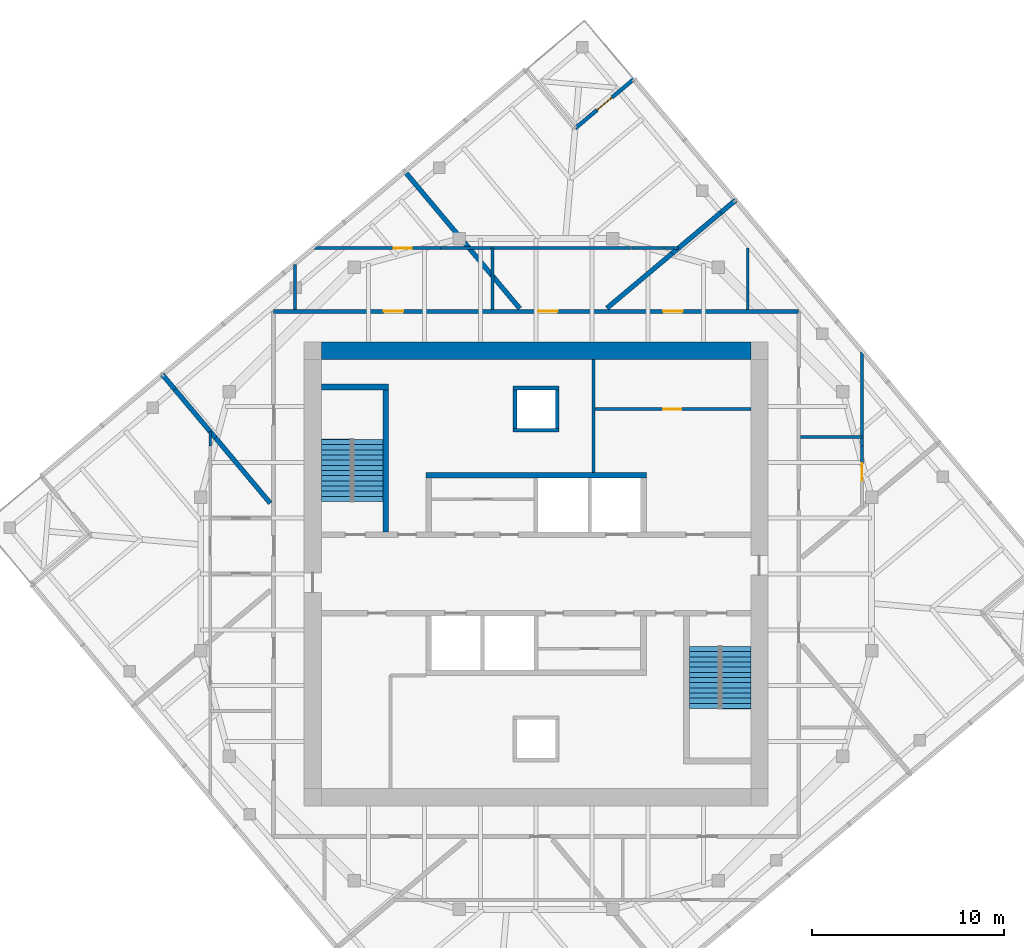
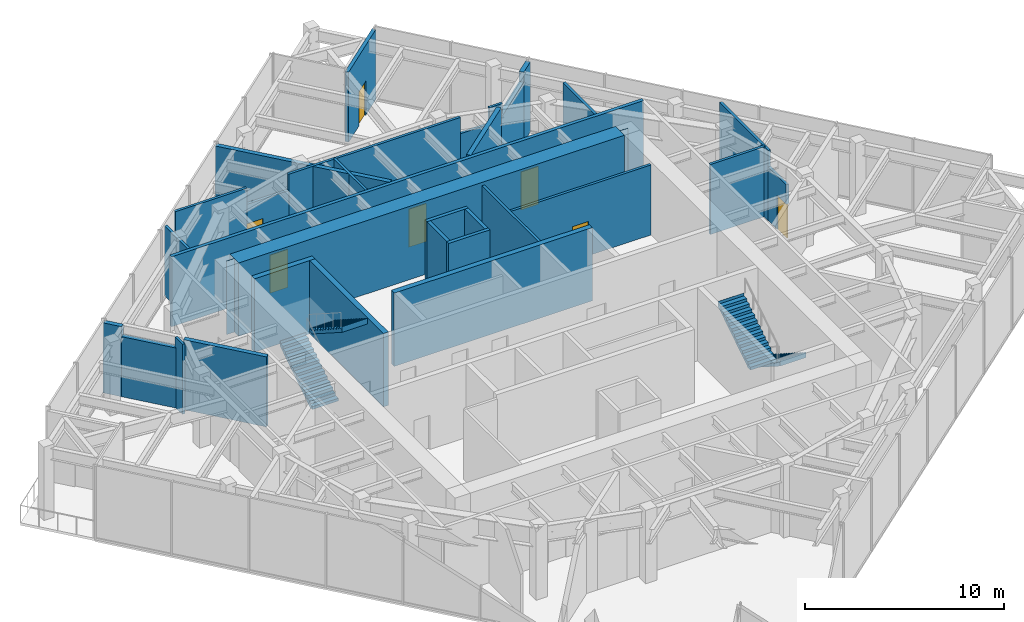
# One storey, part 10 of 11: 31 walls, 7 doors, 4 stair flights, 7 openings, 2 elements without a shape of their own.
"""IFC4 building model written with IfcOpenShell, lengths in metres."""

import ifcopenshell
import ifcopenshell.guid

model = None  # the IFC model being written
_history = None  # IfcOwnerHistory: only IFC2X3 demands one
_inside = {}  # id of a spatial element -> (the spatial element, [elements in it])
_under = {}  # id of a project, library or spatial element -> (it, [spatial elements below it])
_declared = {}  # id of a project -> (the project, [libraries it declares])
_typed = {}  # id of a type object -> (the type object, [elements of that type])
_made_of = {}  # id of a material, layer set ... -> (it, [elements and type objects made of it])


def new_model(schema):
    """Start an empty IFC model of exactly this schema.

    Asked for "IFC4X3", IfcOpenShell would pick the latest addendum, in which some entities
    have other attributes; the version numbers below select the first issue.
    IFC2X3 requires an IfcOwnerHistory on every rooted entity: one is made here for all.
    """
    global model, _history
    if schema == "IFC4X3":
        model = ifcopenshell.file(schema_version=(4, 3, 0, 0))
    else:
        model = ifcopenshell.file(schema=schema)
    _inside.clear()
    _under.clear()
    _declared.clear()
    _typed.clear()
    _made_of.clear()
    _history = None
    if model.schema == "IFC2X3":
        org = make("IfcOrganization", Name="unknown")
        user = make(
            "IfcPersonAndOrganization",
            ThePerson=make("IfcPerson", FamilyName="unknown"),
            TheOrganization=org,
        )
        app = make(
            "IfcApplication",
            ApplicationDeveloper=org,
            Version="unknown",
            ApplicationFullName="unknown",
            ApplicationIdentifier="unknown",
        )
        _history = make(
            "IfcOwnerHistory",
            OwningUser=user,
            OwningApplication=app,
            ChangeAction="ADDED",
            CreationDate=0,
        )
    return model


def make(cls, **values):
    """One entity of the class cls with the attributes given. An attribute that is None is left unset."""
    return model.create_entity(
        cls, **{name: value for name, value in values.items() if value is not None}
    )


def rooted(cls, **values):
    """An entity with a GlobalId (a new one), such as an element, a storey or a relation."""
    return make(cls, GlobalId=ifcopenshell.guid.new(), OwnerHistory=_history, **values)


def si_unit(unit_type, name, prefix=None):
    """IfcSIUnit, for example si_unit("LENGTHUNIT", "METRE", prefix="MILLI")."""
    return make("IfcSIUnit", UnitType=unit_type, Prefix=prefix, Name=name)


def assignment(units):
    """IfcUnitAssignment: the units of a project."""
    return None if units is None else make("IfcUnitAssignment", Units=units)


def point(xyz):
    """IfcCartesianPoint."""
    return None if xyz is None else make("IfcCartesianPoint", Coordinates=xyz)


def direction(xyz):
    """IfcDirection."""
    return None if xyz is None else make("IfcDirection", DirectionRatios=xyz)


def frame(location, z_axis=None, x_axis=None):
    """IfcAxis2Placement3D, a coordinate frame: its origin and axes. An axis left out is left unset."""
    return make(
        "IfcAxis2Placement3D",
        Location=point(location),
        Axis=direction(z_axis),
        RefDirection=direction(x_axis),
    )


def frame_2d(location, x_axis=None):
    """IfcAxis2Placement2D, a coordinate frame in the plane: its origin and x axis."""
    return make(
        "IfcAxis2Placement2D", Location=point(location), RefDirection=direction(x_axis)
    )


def origin():
    """The frame at (0, 0, 0) with its axes left unset."""
    return frame((0.0, 0.0, 0.0))


def place(relative_to, where):
    """IfcLocalPlacement: puts the frame where relative to a parent placement (None: the world)."""
    return make(
        "IfcLocalPlacement", PlacementRelTo=relative_to, RelativePlacement=where
    )


def context(
    kind, dimensions, precision=None, world=None, true_north=None, identifier=None
):
    """IfcGeometricRepresentationContext, for example the 3D "Model" context."""
    return make(
        "IfcGeometricRepresentationContext",
        ContextIdentifier=identifier,
        ContextType=kind,
        CoordinateSpaceDimension=dimensions,
        Precision=precision,
        WorldCoordinateSystem=world,
        TrueNorth=true_north,
    )


def subcontext(parent, identifier, kind, view, scale=None):
    """IfcGeometricRepresentationSubContext, for example "Body" below "Model"."""
    return make(
        "IfcGeometricRepresentationSubContext",
        ContextIdentifier=identifier,
        ContextType=kind,
        ParentContext=parent,
        TargetScale=scale,
        TargetView=view,
    )


def project(units=None, contexts=None):
    """IfcProject with its units and contexts."""
    return rooted(
        "IfcProject",
        Name="project",
        RepresentationContexts=contexts,
        UnitsInContext=assignment(units),
    )


def spatial(cls, under=None, at=None, **own):
    """A site, building, storey or space (cls), placed at a placement, below another one or the project."""
    s = rooted(cls, ObjectPlacement=at, **own)
    if under is not None:
        _under.setdefault(under.id(), (under, []))[1].append(s)
    return s


def polyline(points):
    """IfcPolyline through the points."""
    return make("IfcPolyline", Points=[point(p) for p in points])


def profile(cls, at=None, kind="AREA", **sizes):
    """A parametric profile (cls). Its sizes go by their IFC names, for example OverallWidth=200.0."""
    return make(cls, ProfileType=kind, Position=at, **sizes)


def rectangle(**sizes):
    """IfcRectangleProfileDef."""
    return profile("IfcRectangleProfileDef", **sizes)


def outline(outer, holes=None, kind="AREA"):
    """IfcArbitraryClosedProfileDef: a profile drawn as a closed curve; with holes, ...WithVoids."""
    if holes is None:
        return make("IfcArbitraryClosedProfileDef", ProfileType=kind, OuterCurve=outer)
    return make(
        "IfcArbitraryProfileDefWithVoids",
        ProfileType=kind,
        OuterCurve=outer,
        InnerCurves=holes,
    )


def extrude(swept, where, along, depth):
    """IfcExtrudedAreaSolid: the profile swept, set in the frame where, extruded along a direction by depth."""
    return make(
        "IfcExtrudedAreaSolid",
        SweptArea=swept,
        Position=where,
        ExtrudedDirection=direction(along),
        Depth=depth,
    )


def shape(context_of_items, identifier, shape_type, items):
    """IfcShapeRepresentation: the items that make up one representation, for example the "Body"."""
    return make(
        "IfcShapeRepresentation",
        ContextOfItems=context_of_items,
        RepresentationIdentifier=identifier,
        RepresentationType=shape_type,
        Items=items,
    )


def material(Name=None, Category=None):
    """IfcMaterial."""
    return make("IfcMaterial", Name=Name, Category=Category)


def layer(
    of_material, thickness, ventilated=None, Name=None, Category=None, Priority=None
):
    """IfcMaterialLayer: one layer of a wall or slab, of a material (None: an air gap)."""
    return make(
        "IfcMaterialLayer",
        Material=of_material,
        LayerThickness=thickness,
        IsVentilated=ventilated,
        Name=Name,
        Category=Category,
        Priority=Priority,
    )


def layer_set(layers, Name=None):
    """IfcMaterialLayerSet."""
    return make("IfcMaterialLayerSet", MaterialLayers=layers, LayerSetName=Name)


def made_of(thing, what):
    """Note that an element or type object is made of a material, layer set ...; save() writes the relation."""
    if what is not None:
        _made_of.setdefault(what.id(), (what, []))[1].append(thing)
    return thing


def type_object(cls, material=None, **own):
    """A type object (cls), such as IfcWallType, which elements share."""
    return made_of(rooted(cls, **own), material)


def element(
    cls,
    number,
    at=None,
    inside=None,
    cuts=None,
    type_object=None,
    material=None,
    context=None,
    identifier="Body",
    shape_type=None,
    held_by="IfcProductDefinitionShape",
    body=None,
    shapes=None,
    **own,
):
    """One element of the class cls, such as IfcWall. Its Tag is "e" and its number.

    at: its placement. inside: the storey or other place that contains it. cuts: it is an
    opening in that element (IfcRelVoidsElement). A single representation is given by context,
    identifier, shape_type and body (its items); several are given by shapes. held_by: the class
    of the entity that holds the representations. save() writes the other relations.
    """
    e = rooted(cls, Tag="e%d" % number, ObjectPlacement=at, **own)
    if body is not None:
        shapes = [shape(context, identifier, shape_type, body)]
    if shapes is not None:
        e.Representation = make(held_by, Representations=shapes)
    if inside is not None:
        _inside.setdefault(inside.id(), (inside, []))[1].append(e)
    if cuts is not None:
        rooted(
            "IfcRelVoidsElement", RelatingBuildingElement=cuts, RelatedOpeningElement=e
        )
    if type_object is not None:
        _typed.setdefault(type_object.id(), (type_object, []))[1].append(e)
    return made_of(e, material)


def fill(opening, filler):
    """IfcRelFillsElement: the door or window that sits in an opening."""
    return rooted(
        "IfcRelFillsElement",
        RelatingOpeningElement=opening,
        RelatedBuildingElement=filler,
    )


def aggregate(whole, parts):
    """IfcRelAggregates: a whole, such as a stair, and the parts it consists of."""
    return rooted("IfcRelAggregates", RelatingObject=whole, RelatedObjects=parts)


def save(model, path):
    """Write the relations noted so far, then the file.

    IfcRelAggregates (storeys below a building ...), IfcRelContainedInSpatialStructure (elements
    in a storey), IfcRelDefinesByType, IfcRelAssociatesMaterial and IfcRelDeclares: one each for
    every whole, place, type object, material and project.
    """
    for whole, parts in _under.values():
        aggregate(whole, parts)
    for where, things in _inside.values():
        rooted(
            "IfcRelContainedInSpatialStructure",
            RelatedElements=things,
            RelatingStructure=where,
        )
    for kind, things in _typed.values():
        rooted("IfcRelDefinesByType", RelatedObjects=things, RelatingType=kind)
    for what, things in _made_of.values():
        rooted("IfcRelAssociatesMaterial", RelatedObjects=things, RelatingMaterial=what)
    for by, libraries in _declared.values():
        rooted("IfcRelDeclares", RelatingContext=by, RelatedDefinitions=libraries)
    model.write(path)


model = new_model("IFC4")

# Units and contexts
model_context = context("Model", 3, precision=1e-05, world=origin(), true_north=direction((0.0, 1.0)))
body_context = subcontext(model_context, "Body", "Model", "MODEL_VIEW")
ifc_project = project(units=[si_unit("LENGTHUNIT", "METRE"), si_unit("AREAUNIT", "SQUARE_METRE"), si_unit("VOLUMEUNIT", "CUBIC_METRE"), si_unit("PLANEANGLEUNIT", "RADIAN"), si_unit("MASSUNIT", "GRAM", prefix="KILO")], contexts=[model_context])

# Site, building, storey
site_placement = place(None, origin())
site = spatial("IfcSite", under=ifc_project, at=site_placement, CompositionType="ELEMENT")
building_placement = place(site_placement, origin())
building = spatial("IfcBuilding", under=site, at=building_placement, Name="Torsade Residences", CompositionType="ELEMENT")
storey_placement = place(building_placement, frame((0.0, 0.0, 299.800048828125)))
storey = spatial("IfcBuildingStorey", under=building, at=storey_placement, Name="L83", CompositionType="ELEMENT", Elevation=299.800048828125)

# Walls
ifc_material_1 = material(Name="Concrete 80 MPa", Category="concrete")
ifc_layer_1 = layer(ifc_material_1, 0.300048828125)
ifc_layer_set_1 = layer_set([ifc_layer_1], Name="Concrete 80 MPa")
wall_type_1 = type_object("IfcWallType", Name="CORE INTERNAL WALL 300", PredefinedType="SHEAR", material=ifc_layer_set_1)
wall_1_placement = place(storey_placement, frame((34.25, 35.14990234375, 0.0), z_axis=(0.0, 0.0, 1.0), x_axis=(1.0, 0.0, 0.0)))
element("IfcWall", 1, at=wall_1_placement, inside=storey, type_object=wall_type_1, Name="Core wall BN L83", PredefinedType="SHEAR", context=body_context, shape_type="SweptSolid", body=[
    extrude(rectangle(XDim=11.5, YDim=0.300048828125, at=frame_2d((5.75, 0.0))), origin(), (0.0, 0.0, 1.0), 4.5),
])
wall_2_placement = place(storey_placement, frame((32.14990234375, 32.199951171875, 0.0), z_axis=(0.0, 0.0, 1.0), x_axis=(0.0, 1.0, 0.0)))
element("IfcWall", 2, at=wall_2_placement, inside=storey, type_object=wall_type_1, Name="Core wall ST1E L83", PredefinedType="SHEAR", context=body_context, shape_type="SweptSolid", body=[
    extrude(rectangle(XDim=7.699951171875, YDim=0.300048828125, at=frame_2d((3.85009765625, 0.0))), origin(), (0.0, 0.0, 1.0), 4.5),
])
wall_3_placement = place(storey_placement, frame((28.800048828125, 39.75, 0.0), z_axis=(0.0, 0.0, 1.0), x_axis=(1.0, 0.0, 0.0)))
element("IfcWall", 3, at=wall_3_placement, inside=storey, type_object=wall_type_1, Name="Core wall ST1N L83", PredefinedType="SHEAR", context=body_context, shape_type="SweptSolid", body=[
    extrude(rectangle(XDim=3.5, YDim=0.300048828125, at=frame_2d((1.75, 0.0))), origin(), (0.0, 0.0, 1.0), 4.5),
])
ifc_material_2 = material(Name="Concrete 80 MPa", Category="concrete")
ifc_layer_2 = layer(ifc_material_2, 0.89990234375)
ifc_layer_set_2 = layer_set([ifc_layer_2], Name="Concrete 80 MPa")
wall_type_2 = type_object("IfcWallType", Name="CORE WALL 900", PredefinedType="SHEAR", material=ifc_layer_set_2)
wall_4_placement = place(storey_placement, frame((28.800048828125, 41.64990234375, 0.0), z_axis=(0.0, 0.0, 1.0), x_axis=(1.0, 0.0, 0.0)))
element("IfcWall", 4, at=wall_4_placement, inside=storey, type_object=wall_type_2, Name="Core wall N L83", PredefinedType="SHEAR", context=body_context, shape_type="SweptSolid", body=[
    extrude(outline(polyline([(0.0, -0.449951171875), (22.39990234375, -0.449951171875), (22.39990234375, -0.02490234375), (22.849853515625, -0.02490234375), (22.849853515625, 0.02490234375), (22.39990234375, 0.02490234375), (22.39990234375, 0.449951171875), (0.0, 0.449951171875), (0.0, 0.02490234375), (-0.449951171875, 0.02490234375), (-0.449951171875, -0.02490234375), (0.0, -0.02490234375), (0.0, -0.449951171875)])), origin(), (0.0, 0.0, 1.0), 4.5),
])

# Wall, openings, doors
ifc_material_3 = material(Name="Plasterboard on steel stud", Category="steel")
ifc_layer_3 = layer(ifc_material_3, 0.199951171875)
ifc_layer_set_3 = layer_set([ifc_layer_3], Name="Plasterboard on steel stud")
wall_type_3 = type_object("IfcWallType", Name="CORRIDOR WALL 200", PredefinedType="PARTITIONING", material=ifc_layer_set_3)
wall_5_placement = place(storey_placement, frame((53.699951171875, 43.699951171875, 0.0), z_axis=(0.0, 0.0, 1.0), x_axis=(-1.0, 0.0, 0.0)))
wall_5 = element("IfcWall", 5, at=wall_5_placement, inside=storey, type_object=wall_type_3, Name="Corridor wall L83", PredefinedType="PARTITIONING", context=body_context, shape_type="SweptSolid", body=[
    extrude(rectangle(XDim=27.39990234375, YDim=0.199951171875, at=frame_2d((13.699951171875, 0.0))), origin(), (0.0, 0.0, 1.0), 4.300048828125),
])
opening_1_placement = place(wall_5_placement, frame((20.621337890625, 0.0, 0.0)))
opening_1 = element("IfcOpeningElement", 6, at=opening_1_placement, cuts=wall_5, Name="Opening D01", PredefinedType="OPENING", context=body_context, shape_type="SweptSolid", body=[
    extrude(rectangle(XDim=1.02001953125, YDim=2.340087890625, at=frame_2d((0.510009765625, 1.169921875))), frame((0.0, 0.10986328125, 0.0), z_axis=(0.0, -1.0, 0.0), x_axis=(1.0, 0.0, 0.0)), (0.0, 0.0, 1.0), 0.219970703125),
])
opening_2_placement = place(wall_5_placement, frame((6.053466796875, 0.0, 0.0)))
opening_2 = element("IfcOpeningElement", 7, at=opening_2_placement, cuts=wall_5, Name="Opening D01", PredefinedType="OPENING", context=body_context, shape_type="SweptSolid", body=[
    extrude(rectangle(XDim=1.02001953125, YDim=2.340087890625, at=frame_2d((0.510009765625, 1.169921875))), frame((0.0, 0.10986328125, 0.0), z_axis=(0.0, -1.0, 0.0), x_axis=(1.0, 0.0, 0.0)), (0.0, 0.0, 1.0), 0.219970703125),
])
opening_3_placement = place(wall_5_placement, frame((12.573974609375, 0.0, 0.0)))
opening_3 = element("IfcOpeningElement", 8, at=opening_3_placement, cuts=wall_5, Name="Opening D01", PredefinedType="OPENING", context=body_context, shape_type="SweptSolid", body=[
    extrude(rectangle(XDim=1.02001953125, YDim=2.340087890625, at=frame_2d((0.510009765625, 1.169921875))), frame((0.0, 0.10986328125, 0.0), z_axis=(0.0, -1.0, 0.0), x_axis=(1.0, 0.0, 0.0)), (0.0, 0.0, 1.0), 0.219970703125),
])
ifc_material_4 = material(Name="Solid-core timber fire door", Category="wood")
door_type_1 = type_object("IfcDoorType", Name="APARTMENT ENTRY DOOR 1020x2340", OperationType="NOTDEFINED", PredefinedType="DOOR", material=ifc_material_4)
door_1_placement = place(opening_1_placement, origin())
door_1 = element("IfcDoor", 9, at=door_1_placement, inside=storey, type_object=door_type_1, Name="Door Plant corridor to Plant cupboard", OperationType="SINGLE_SWING_LEFT", OverallHeight=2.340087890625, OverallWidth=1.02001953125, PredefinedType="DOOR", context=body_context, shape_type="SweptSolid", body=[
    extrude(rectangle(XDim=1.02001953125, YDim=2.340087890625, at=frame_2d((0.510009765625, 1.169921875))), frame((0.0, 0.02490234375, 0.0), z_axis=(0.0, -1.0, 0.0), x_axis=(1.0, 0.0, 0.0)), (0.0, 0.0, 1.0), 0.050048828125),
])
fill(opening_1, door_1)
door_2_placement = place(opening_2_placement, origin())
door_2 = element("IfcDoor", 10, at=door_2_placement, inside=storey, type_object=door_type_1, Name="Door Plant corridor to Plant cupboard", OperationType="SINGLE_SWING_RIGHT", OverallHeight=2.340087890625, OverallWidth=1.02001953125, PredefinedType="DOOR", context=body_context, shape_type="SweptSolid", body=[
    extrude(rectangle(XDim=1.02001953125, YDim=2.340087890625, at=frame_2d((0.510009765625, 1.169921875))), frame((0.0, 0.02490234375, 0.0), z_axis=(0.0, -1.0, 0.0), x_axis=(1.0, 0.0, 0.0)), (0.0, 0.0, 1.0), 0.050048828125),
])
fill(opening_2, door_2)
door_3_placement = place(opening_3_placement, origin())
door_3 = element("IfcDoor", 11, at=door_3_placement, inside=storey, type_object=door_type_1, Name="Door Plant corridor to Store", OperationType="SINGLE_SWING_RIGHT", OverallHeight=2.340087890625, OverallWidth=1.02001953125, PredefinedType="DOOR", context=body_context, shape_type="SweptSolid", body=[
    extrude(rectangle(XDim=1.02001953125, YDim=2.340087890625, at=frame_2d((0.510009765625, 1.169921875))), frame((0.0, 0.02490234375, 0.0), z_axis=(0.0, -1.0, 0.0), x_axis=(1.0, 0.0, 0.0)), (0.0, 0.0, 1.0), 0.050048828125),
])
fill(opening_3, door_3)

# Walls
ifc_material_5 = material(Name="Masonry-lined stud party wall", Category="masonry")
ifc_layer_4 = layer(ifc_material_5, 0.25)
ifc_layer_set_4 = layer_set([ifc_layer_4], Name="Masonry-lined stud party wall")
wall_type_4 = type_object("IfcWallType", Name="PARTY WALL 250", PredefinedType="PARTITIONING", material=ifc_layer_set_4)
wall_6_placement = place(storey_placement, frame((50.40087890625, 49.4970703125, 0.0), z_axis=(0.0, 0.0, 1.0), x_axis=(-0.766055819685, -0.64277405138, 0.0)))
element("IfcWall", 12, at=wall_6_placement, inside=storey, type_object=wall_type_4, Name="Party wall L83", PredefinedType="PARTITIONING", context=body_context, shape_type="SweptSolid", body=[
    extrude(rectangle(XDim=1.0, YDim=0.25, at=frame_2d((0.5, 0.0))), origin(), (0.0, 0.0, 1.0), 4.300048828125),
])
wall_7_placement = place(storey_placement, frame((49.634765625, 48.854248046875, 0.0), z_axis=(0.0, 0.0, 1.0), x_axis=(-0.766014492995, -0.642823301165, 0.0)))
element("IfcWall", 13, at=wall_7_placement, inside=storey, type_object=wall_type_4, Name="Party wall L83", PredefinedType="PARTITIONING", context=body_context, shape_type="SweptSolid", body=[
    extrude(rectangle(XDim=3.3076171875, YDim=0.25, at=frame_2d((1.65380859375, 0.0))), origin(), (0.0, 0.0, 1.0), 3.68798828125),
])
wall_8_placement = place(storey_placement, frame((47.10107421875, 46.72802734375, 0.0), z_axis=(0.0, 0.0, 1.0), x_axis=(-0.766051985436, -0.642778620996, 0.0)))
element("IfcWall", 14, at=wall_8_placement, inside=storey, type_object=wall_type_4, Name="Party wall L83", PredefinedType="PARTITIONING", context=body_context, shape_type="SweptSolid", body=[
    extrude(rectangle(XDim=4.4462890625, YDim=0.25, at=frame_2d((2.22314453125, 0.0))), origin(), (0.0, 0.0, 1.0), 4.300048828125),
])
wall_9_placement = place(storey_placement, frame((33.142822265625, 51.0068359375, 0.0), z_axis=(0.0, 0.0, 1.0), x_axis=(0.64278692291, -0.766045019392, 0.0)))
element("IfcWall", 15, at=wall_9_placement, inside=storey, type_object=wall_type_4, Name="Party wall L83", PredefinedType="PARTITIONING", context=body_context, shape_type="SweptSolid", body=[
    extrude(rectangle(XDim=9.343017578125, YDim=0.25, at=frame_2d((4.67138671875, 0.0))), origin(), (0.0, 0.0, 1.0), 4.300048828125),
])
wall_10_placement = place(storey_placement, frame((20.5029296875, 40.40087890625, 0.0), z_axis=(0.0, 0.0, 1.0), x_axis=(0.64277405138, -0.766055819685, 0.0)))
element("IfcWall", 16, at=wall_10_placement, inside=storey, type_object=wall_type_4, Name="Party wall L83", PredefinedType="PARTITIONING", context=body_context, shape_type="SweptSolid", body=[
    extrude(rectangle(XDim=1.0, YDim=0.25, at=frame_2d((0.5, 0.0))), origin(), (0.0, 0.0, 1.0), 4.300048828125),
])
wall_11_placement = place(storey_placement, frame((21.145751953125, 39.634765625, 0.0), z_axis=(0.0, 0.0, 1.0), x_axis=(0.642823301165, -0.766014492995, 0.0)))
element("IfcWall", 17, at=wall_11_placement, inside=storey, type_object=wall_type_4, Name="Party wall L83", PredefinedType="PARTITIONING", context=body_context, shape_type="SweptSolid", body=[
    extrude(rectangle(XDim=3.3076171875, YDim=0.25, at=frame_2d((1.65380859375, 0.0))), origin(), (0.0, 0.0, 1.0), 3.68798828125),
])
wall_12_placement = place(storey_placement, frame((23.27197265625, 37.10107421875, 0.0), z_axis=(0.0, 0.0, 1.0), x_axis=(0.642778620996, -0.766051985436, 0.0)))
element("IfcWall", 18, at=wall_12_placement, inside=storey, type_object=wall_type_4, Name="Party wall L83", PredefinedType="PARTITIONING", context=body_context, shape_type="SweptSolid", body=[
    extrude(rectangle(XDim=4.4462890625, YDim=0.25, at=frame_2d((2.22314453125, 0.0))), origin(), (0.0, 0.0, 1.0), 4.300048828125),
])

# Wall, opening, door
ifc_material_6 = material(Name="Stone-faced precast concrete 40 MPa panel", Category="masonry")
ifc_layer_5 = layer(ifc_material_6, 0.199951171875)
ifc_layer_set_5 = layer_set([ifc_layer_5], Name="Stone-faced precast concrete 40 MPa panel")
wall_type_5 = type_object("IfcWallType", Name="PLANT ROOM EXTERNAL WALL 200", PredefinedType="SOLIDWALL", material=ifc_layer_set_5)
wall_13_placement = place(storey_placement, frame((45.097900390625, 55.81689453125, 0.0), z_axis=(0.0, 0.0, 1.0), x_axis=(-0.766060656284, -0.642768287094, 0.0)))
wall_13 = element("IfcWall", 19, at=wall_13_placement, inside=storey, type_object=wall_type_5, Name="Plant room wall L83 5", PredefinedType="SOLIDWALL", context=body_context, shape_type="SweptSolid", body=[
    extrude(rectangle(XDim=4.0, YDim=0.199951171875, at=frame_2d((2.0, 0.0))), origin(), (0.0, 0.0, 1.0), 4.300048828125),
])
opening_4_placement = place(wall_13_placement, frame((1.489990234375, 0.0, 0.0)))
opening_4 = element("IfcOpeningElement", 20, at=opening_4_placement, cuts=wall_13, Name="Opening D11", PredefinedType="OPENING", context=body_context, shape_type="SweptSolid", body=[
    extrude(rectangle(XDim=1.02001953125, YDim=2.10009765625, at=frame_2d((0.510009765625, 1.050048828125))), frame((0.0, 0.10986328125, 0.0), z_axis=(0.0, -1.0, 0.0), x_axis=(1.0, 0.0, 0.0)), (0.0, 0.0, 1.0), 0.219970703125),
])
ifc_material_7 = material(Name="Steel-framed external door", Category="steel")
door_type_2 = type_object("IfcDoorType", Name="MAINTENANCE ROOF DOOR 1020", OperationType="NOTDEFINED", PredefinedType="DOOR", material=ifc_material_7)
door_4_placement = place(opening_4_placement, origin())
door_4 = element("IfcDoor", 21, at=door_4_placement, inside=storey, type_object=door_type_2, Name="Terrace maintenance door L83 5", OperationType="SINGLE_SWING_LEFT", OverallHeight=2.10009765625, OverallWidth=1.02001953125, PredefinedType="DOOR", context=body_context, shape_type="SweptSolid", body=[
    extrude(rectangle(XDim=1.02001953125, YDim=2.10009765625, at=frame_2d((0.510009765625, 1.050048828125))), frame((0.0, 0.02490234375, 0.0), z_axis=(0.0, -1.0, 0.0), x_axis=(1.0, 0.0, 0.0)), (0.0, 0.0, 1.0), 0.050048828125),
])
fill(opening_4, door_4)

# Walls
ifc_material_8 = material(Name="Reinforced blockwork", Category="masonry")
ifc_layer_6 = layer(ifc_material_8, 0.199951171875)
ifc_layer_set_6 = layer_set([ifc_layer_6], Name="Reinforced blockwork")
wall_type_6 = type_object("IfcWallType", Name="RISER SHAFT WALL 200", PredefinedType="SOLIDWALL", material=ifc_layer_set_6)
for number, where, z_axis, x_axis, name in (
    (22, (38.89990234375, 37.60009765625, 0.0), (0.0, 0.0, 1.0), (0.0, 1.0, 0.0), "Core wall RS1a L83"),
    (23, (41.10009765625, 37.60009765625, 0.0), (0.0, 0.0, 1.0), (0.0, 1.0, 0.0), "Core wall RS1b L83"),
):
    element("IfcWall", number, at=place(storey_placement, frame(where, z_axis=z_axis, x_axis=x_axis)), inside=storey, type_object=wall_type_6, Name=name, PredefinedType="SOLIDWALL", context=body_context, shape_type="SweptSolid", body=[
        extrude(rectangle(XDim=2.0, YDim=0.199951171875, at=frame_2d((1.0, 0.0))), origin(), (0.0, 0.0, 1.0), 4.5),
    ])
for number, where, z_axis, x_axis, name in (
    (24, (38.800048828125, 37.5, 0.0), (0.0, 0.0, 1.0), (1.0, 0.0, 0.0), "Core wall RS1c L83"),
    (25, (38.800048828125, 39.699951171875, 0.0), (0.0, 0.0, 1.0), (1.0, 0.0, 0.0), "Core wall RS1d L83"),
):
    element("IfcWall", number, at=place(storey_placement, frame(where, z_axis=z_axis, x_axis=x_axis)), inside=storey, type_object=wall_type_6, Name=name, PredefinedType="SOLIDWALL", context=body_context, shape_type="SweptSolid", body=[
        extrude(rectangle(XDim=2.39990234375, YDim=0.199951171875, at=frame_2d((1.199951171875, 0.0))), origin(), (0.0, 0.0, 1.0), 4.5),
    ])
ifc_material_9 = material(Name="Reinforced blockwork", Category="masonry")
ifc_layer_7 = layer(ifc_material_9, 0.14990234375)
ifc_layer_set_7 = layer_set([ifc_layer_7], Name="Reinforced blockwork")
wall_type_7 = type_object("IfcWallType", Name="SERVICE ROOM WALL 150", PredefinedType="SOLIDWALL", material=ifc_layer_set_7)
wall_14_placement = place(storey_placement, frame((43.0, 41.199951171875, 0.0), z_axis=(0.0, 0.0, 1.0), x_axis=(0.0, -1.0, 0.0)))
element("IfcWall", 26, at=wall_14_placement, inside=storey, type_object=wall_type_7, Name="Service room wall L83", PredefinedType="SOLIDWALL", context=body_context, shape_type="SweptSolid", body=[
    extrude(rectangle(XDim=5.89990234375, YDim=0.14990234375, at=frame_2d((2.949951171875, 0.0))), origin(), (0.0, 0.0, 1.0), 4.300048828125),
])

# Wall, opening, door
wall_15_placement = place(storey_placement, frame((43.0, 38.60009765625, 0.0), z_axis=(0.0, 0.0, 1.0), x_axis=(1.0, 0.0, 0.0)))
wall_15 = element("IfcWall", 27, at=wall_15_placement, inside=storey, type_object=wall_type_7, Name="Service room wall L83", PredefinedType="SOLIDWALL", context=body_context, shape_type="SweptSolid", body=[
    extrude(rectangle(XDim=8.199951171875, YDim=0.14990234375, at=frame_2d((4.10009765625, 0.0))), origin(), (0.0, 0.0, 1.0), 4.300048828125),
])
opening_5_placement = place(wall_15_placement, frame((3.639892578125, 0.0, 0.0)))
opening_5 = element("IfcOpeningElement", 28, at=opening_5_placement, cuts=wall_15, Name="Opening D06", PredefinedType="OPENING", context=body_context, shape_type="SweptSolid", body=[
    extrude(rectangle(XDim=0.919921875, YDim=2.10009765625, at=frame_2d((0.4599609375, 1.050048828125))), frame((0.0, 0.0849609375, 0.0), z_axis=(0.0, -1.0, 0.0), x_axis=(1.0, 0.0, 0.0)), (0.0, 0.0, 1.0), 0.169921875),
])
ifc_material_10 = material(Name="Steel-framed fire door", Category="steel")
door_type_3 = type_object("IfcDoorType", Name="FIRE DOOR 920", OperationType="NOTDEFINED", PredefinedType="DOOR", material=ifc_material_10)
door_5_placement = place(opening_5_placement, origin())
door_5 = element("IfcDoor", 29, at=door_5_placement, inside=storey, type_object=door_type_3, Name="Door Refuse room to Bulky waste store", OperationType="SINGLE_SWING_RIGHT", OverallHeight=2.10009765625, OverallWidth=0.919921875, PredefinedType="DOOR", context=body_context, shape_type="SweptSolid", body=[
    extrude(rectangle(XDim=0.919921875, YDim=2.10009765625, at=frame_2d((0.4599609375, 1.050048828125))), frame((0.0, 0.02490234375, 0.0), z_axis=(0.0, -1.0, 0.0), x_axis=(1.0, 0.0, 0.0)), (0.0, 0.0, 1.0), 0.050048828125),
])
fill(opening_5, door_5)

# Walls
wall_16_placement = place(storey_placement, frame((23.0, 36.678466796875, 0.0), z_axis=(0.0, 0.0, 1.0), x_axis=(0.0, 1.0, 0.0)))
element("IfcWall", 30, at=wall_16_placement, inside=storey, type_object=wall_type_7, Name="Service room wall L83", PredefinedType="SOLIDWALL", context=body_context, shape_type="SweptSolid", body=[
    extrude(rectangle(XDim=0.74658203125, YDim=0.14990234375, at=frame_2d((0.373291015625, 0.0))), origin(), (0.0, 0.0, 1.0), 4.300048828125),
])
for number, where, z_axis, x_axis, name in (
    (31, (51.0390625, 43.800048828125, 0.0), (0.0, 0.0, 1.0), (0.0, 1.0, 0.0), "Service room wall L83"),
    (32, (57.0, 37.13818359375, 0.0), (0.0, 0.0, 1.0), (-1.0, 0.0, 0.0), "Service room wall L83"),
):
    element("IfcWall", number, at=place(storey_placement, frame(where, z_axis=z_axis, x_axis=x_axis)), inside=storey, type_object=wall_type_7, Name=name, PredefinedType="SOLIDWALL", context=body_context, shape_type="SweptSolid", body=[
        extrude(rectangle(XDim=3.199951171875, YDim=0.14990234375, at=frame_2d((1.60009765625, 0.0))), origin(), (0.0, 0.0, 1.0), 4.300048828125),
    ])
wall_17_placement = place(storey_placement, frame((57.0, 41.5703125, 0.0), z_axis=(0.0, 0.0, 1.0), x_axis=(0.0, -1.0, 0.0)))
element("IfcWall", 33, at=wall_17_placement, inside=storey, type_object=wall_type_7, Name="Service room wall L83", PredefinedType="SOLIDWALL", context=body_context, shape_type="SweptSolid", body=[
    extrude(rectangle(XDim=4.891845703125, YDim=0.14990234375, at=frame_2d((2.44580078125, 0.0))), origin(), (0.0, 0.0, 1.0), 4.300048828125),
])

# Wall, opening, door
wall_18_placement = place(storey_placement, frame((57.0, 36.678466796875, 0.0), z_axis=(0.0, 0.0, 1.0), x_axis=(0.0, -1.0, 0.0)))
wall_18 = element("IfcWall", 34, at=wall_18_placement, inside=storey, type_object=wall_type_7, Name="Service room wall L83", PredefinedType="SOLIDWALL", context=body_context, shape_type="SweptSolid", body=[
    extrude(rectangle(XDim=1.82177734375, YDim=0.14990234375, at=frame_2d((0.910888671875, 0.0))), origin(), (0.0, 0.0, 1.0), 3.300048828125),
])
opening_6_placement = place(wall_18_placement, frame((0.90185546875, 0.0, 0.0)))
opening_6 = element("IfcOpeningElement", 35, at=opening_6_placement, cuts=wall_18, Name="Opening D06", PredefinedType="OPENING", context=body_context, shape_type="SweptSolid", body=[
    extrude(rectangle(XDim=0.919921875, YDim=2.10009765625, at=frame_2d((0.4599609375, 1.050048828125))), frame((0.0, 0.0849609375, 0.0), z_axis=(0.0, -1.0, 0.0), x_axis=(1.0, 0.0, 0.0)), (0.0, 0.0, 1.0), 0.169921875),
])
door_6_placement = place(opening_6_placement, origin())
door_6 = element("IfcDoor", 36, at=door_6_placement, inside=storey, type_object=door_type_3, Name="Door Store to Chiller plant room", OperationType="SINGLE_SWING_RIGHT", OverallHeight=2.10009765625, OverallWidth=0.919921875, PredefinedType="DOOR", context=body_context, shape_type="SweptSolid", body=[
    extrude(rectangle(XDim=0.919921875, YDim=2.10009765625, at=frame_2d((0.4599609375, 1.050048828125))), frame((0.0, 0.02490234375, 0.0), z_axis=(0.0, -1.0, 0.0), x_axis=(1.0, 0.0, 0.0)), (0.0, 0.0, 1.0), 0.050048828125),
])
fill(opening_6, door_6)

# Walls
wall_19_placement = place(storey_placement, frame((27.417236328125, 46.150390625, 0.0), z_axis=(0.0, 0.0, 1.0), x_axis=(0.0, -1.0, 0.0)))
element("IfcWall", 37, at=wall_19_placement, inside=storey, type_object=wall_type_7, Name="Service room wall L83", PredefinedType="SOLIDWALL", context=body_context, shape_type="SweptSolid", body=[
    extrude(rectangle(XDim=2.350341796875, YDim=0.14990234375, at=frame_2d((1.17529296875, 0.0))), origin(), (0.0, 0.0, 1.0), 4.300048828125),
])
wall_20_placement = place(storey_placement, frame((37.719970703125, 47.0, 0.0), z_axis=(0.0, 0.0, 1.0), x_axis=(0.0, -1.0, 0.0)))
element("IfcWall", 38, at=wall_20_placement, inside=storey, type_object=wall_type_7, Name="Service room wall L83", PredefinedType="SOLIDWALL", context=body_context, shape_type="SweptSolid", body=[
    extrude(rectangle(XDim=3.199951171875, YDim=0.14990234375, at=frame_2d((1.60009765625, 0.0))), origin(), (0.0, 0.0, 1.0), 4.300048828125),
])
wall_21_placement = place(storey_placement, frame((28.4296875, 47.0, 0.0), z_axis=(0.0, 0.0, 1.0), x_axis=(1.0, 0.0, 0.0)))
element("IfcWall", 39, at=wall_21_placement, inside=storey, type_object=wall_type_7, Name="Service room wall L83", PredefinedType="SOLIDWALL", context=body_context, shape_type="SweptSolid", body=[
    extrude(rectangle(XDim=4.154052734375, YDim=0.14990234375, at=frame_2d((2.0771484375, 0.0))), origin(), (0.0, 0.0, 1.0), 4.300048828125),
])

# Wall, opening, door
wall_22_placement = place(storey_placement, frame((32.583740234375, 47.0, 0.0), z_axis=(0.0, 0.0, 1.0), x_axis=(1.0, 0.0, 0.0)))
wall_22 = element("IfcWall", 40, at=wall_22_placement, inside=storey, type_object=wall_type_7, Name="Service room wall L83", PredefinedType="SOLIDWALL", context=body_context, shape_type="SweptSolid", body=[
    extrude(rectangle(XDim=2.427978515625, YDim=0.14990234375, at=frame_2d((1.2138671875, 0.0))), origin(), (0.0, 0.0, 1.0), 3.300048828125),
])
opening_7_placement = place(wall_22_placement, origin())
opening_7 = element("IfcOpeningElement", 41, at=opening_7_placement, cuts=wall_22, Name="Opening D06", PredefinedType="OPENING", context=body_context, shape_type="SweptSolid", body=[
    extrude(rectangle(XDim=0.919921875, YDim=2.10009765625, at=frame_2d((0.4599609375, 1.050048828125))), frame((0.0, 0.0849609375, 0.0), z_axis=(0.0, -1.0, 0.0), x_axis=(1.0, 0.0, 0.0)), (0.0, 0.0, 1.0), 0.169921875),
])
door_7_placement = place(opening_7_placement, origin())
door_7 = element("IfcDoor", 42, at=door_7_placement, inside=storey, type_object=door_type_3, Name="Door Plant cupboard to Heat rejection plant room", OperationType="SINGLE_SWING_RIGHT", OverallHeight=2.10009765625, OverallWidth=0.919921875, PredefinedType="DOOR", context=body_context, shape_type="SweptSolid", body=[
    extrude(rectangle(XDim=0.919921875, YDim=2.10009765625, at=frame_2d((0.4599609375, 1.050048828125))), frame((0.0, 0.02490234375, 0.0), z_axis=(0.0, -1.0, 0.0), x_axis=(1.0, 0.0, 0.0)), (0.0, 0.0, 1.0), 0.050048828125),
])
fill(opening_7, door_7)

# Walls
wall_23_placement = place(storey_placement, frame((35.01171875, 47.0, 0.0), z_axis=(0.0, 0.0, 1.0), x_axis=(1.0, 0.0, 0.0)))
element("IfcWall", 43, at=wall_23_placement, inside=storey, type_object=wall_type_7, Name="Service room wall L83", PredefinedType="SOLIDWALL", context=body_context, shape_type="SweptSolid", body=[
    extrude(rectangle(XDim=9.9765625, YDim=0.14990234375, at=frame_2d((4.98828125, 0.0))), origin(), (0.0, 0.0, 1.0), 4.300048828125),
])
wall_24_placement = place(storey_placement, frame((44.98828125, 47.0, 0.0), z_axis=(0.0, 0.0, 1.0), x_axis=(1.0, 0.0, 0.0)))
element("IfcWall", 44, at=wall_24_placement, inside=storey, type_object=wall_type_7, Name="Service room wall L83", PredefinedType="SOLIDWALL", context=body_context, shape_type="SweptSolid", body=[
    extrude(rectangle(XDim=1.690185546875, YDim=0.14990234375, at=frame_2d((0.84521484375, 0.0))), origin(), (0.0, 0.0, 1.0), 3.300048828125),
])
wall_25_placement = place(storey_placement, frame((46.678466796875, 47.0, 0.0), z_axis=(0.0, 0.0, 1.0), x_axis=(1.0, 0.0, 0.0)))
element("IfcWall", 45, at=wall_25_placement, inside=storey, type_object=wall_type_7, Name="Service room wall L83", PredefinedType="SOLIDWALL", context=body_context, shape_type="SweptSolid", body=[
    extrude(rectangle(XDim=0.74658203125, YDim=0.14990234375, at=frame_2d((0.373291015625, 0.0))), origin(), (0.0, 0.0, 1.0), 4.300048828125),
])

# Stair, stair flights
ifc_material_11 = material(Name="Precast concrete 40 MPa", Category="concrete")
stair_type = type_object("IfcStairType", Name="HALF-TURN FIRE STAIR 1500x4500", PredefinedType="HALF_TURN_STAIR", material=ifc_material_11)
stair_1_placement = place(storey_placement, origin())
stair_1 = element("IfcStair", 46, at=stair_1_placement, inside=storey, type_object=stair_type, Name="Stair ST1 L83", PredefinedType="HALF_TURN_STAIR")
ifc_material_12 = material(Name="Precast concrete 40 MPa", Category="concrete")
stair_flight_type = type_object("IfcStairFlightType", Name="PRECAST STAIR FLIGHT 1500x2250", PredefinedType="STRAIGHT", material=ifc_material_12)
stair_flight_1_placement = place(storey_placement, frame((29.550048828125, 33.780029296875, 0.0), z_axis=(0.0, 0.0, 1.0), x_axis=(0.0, 1.0, 0.0)))
stair_flight_1 = element("IfcStairFlight", 47, at=stair_flight_1_placement, type_object=stair_flight_type, Name="ST1 flight 1", NumberOfRisers=13, NumberOfTreads=12, PredefinedType="STRAIGHT", RiserHeight=0.173076923, TreadLength=0.27, context=body_context, shape_type="SweptSolid", body=[
    extrude(outline(polyline([(0.0, 0.0), (0.0, 0.173095703125), (0.27001953125, 0.173095703125), (0.27001953125, 0.34619140625), (0.5400390625, 0.34619140625), (0.5400390625, 0.519287109375), (0.81005859375, 0.519287109375), (0.81005859375, 0.6923828125), (1.080078125, 0.6923828125), (1.080078125, 0.865478515625), (1.35009765625, 0.865478515625), (1.35009765625, 1.03857421875), (1.6201171875, 1.03857421875), (1.6201171875, 1.21142578125), (1.889892578125, 1.21142578125), (1.889892578125, 1.384521484375), (2.159912109375, 1.384521484375), (2.159912109375, 1.5576171875), (2.429931640625, 1.5576171875), (2.429931640625, 1.730712890625), (2.699951171875, 1.730712890625), (2.699951171875, 1.90380859375), (2.969970703125, 1.90380859375), (2.969970703125, 2.076904296875), (3.239990234375, 2.076904296875), (3.239990234375, 2.25), (3.25, 2.25), (3.25, 1.89892578125), (3.239990234375, 1.89892578125), (0.27783203125, 0.0), (0.0, 0.0)])), frame((0.0, 0.75, 0.0), z_axis=(0.0, -1.0, 0.0), x_axis=(1.0, 0.0, 0.0)), (0.0, 0.0, 1.0), 1.5),
])
stair_flight_2_placement = place(storey_placement, frame((31.25, 37.02001953125, 2.25), z_axis=(0.0, 0.0, 1.0), x_axis=(0.0, -1.0, 0.0)))
stair_flight_2 = element("IfcStairFlight", 48, at=stair_flight_2_placement, type_object=stair_flight_type, Name="ST1 flight 2", NumberOfRisers=13, NumberOfTreads=12, PredefinedType="STRAIGHT", RiserHeight=0.173076923, TreadLength=0.27, context=body_context, shape_type="SweptSolid", body=[
    extrude(outline(polyline([(0.0, 0.0), (0.0, 0.173095703125), (0.27001953125, 0.173095703125), (0.27001953125, 0.34619140625), (0.5400390625, 0.34619140625), (0.5400390625, 0.519287109375), (0.81005859375, 0.519287109375), (0.81005859375, 0.6923828125), (1.080078125, 0.6923828125), (1.080078125, 0.865478515625), (1.35009765625, 0.865478515625), (1.35009765625, 1.03857421875), (1.6201171875, 1.03857421875), (1.6201171875, 1.21142578125), (1.889892578125, 1.21142578125), (1.889892578125, 1.384521484375), (2.159912109375, 1.384521484375), (2.159912109375, 1.5576171875), (2.429931640625, 1.5576171875), (2.429931640625, 1.730712890625), (2.699951171875, 1.730712890625), (2.699951171875, 1.90380859375), (2.969970703125, 1.90380859375), (2.969970703125, 2.076904296875), (3.239990234375, 2.076904296875), (3.239990234375, 2.25), (3.25, 2.25), (3.25, 1.89892578125), (3.239990234375, 1.89892578125), (0.27783203125, 0.0), (0.0, 0.0)])), frame((0.0, 0.75, 0.0), z_axis=(0.0, -1.0, 0.0), x_axis=(1.0, 0.0, 0.0)), (0.0, 0.0, 1.0), 1.5),
])
aggregate(stair_1, [stair_flight_1, stair_flight_2])

stair_2_placement = place(storey_placement, origin())
stair_2 = element("IfcStair", 49, at=stair_2_placement, inside=storey, type_object=stair_type, Name="Stair ST2 L83", PredefinedType="HALF_TURN_STAIR")
stair_flight_3_placement = place(storey_placement, frame((50.449951171875, 26.219970703125, 0.0), z_axis=(0.0, 0.0, 1.0), x_axis=(0.0, -1.0, 0.0)))
stair_flight_3 = element("IfcStairFlight", 50, at=stair_flight_3_placement, type_object=stair_flight_type, Name="ST2 flight 1", NumberOfRisers=13, NumberOfTreads=12, PredefinedType="STRAIGHT", RiserHeight=0.173076923, TreadLength=0.27, context=body_context, shape_type="SweptSolid", body=[
    extrude(outline(polyline([(0.0, 0.0), (0.0, 0.173095703125), (0.27001953125, 0.173095703125), (0.27001953125, 0.34619140625), (0.5400390625, 0.34619140625), (0.5400390625, 0.519287109375), (0.81005859375, 0.519287109375), (0.81005859375, 0.6923828125), (1.080078125, 0.6923828125), (1.080078125, 0.865478515625), (1.35009765625, 0.865478515625), (1.35009765625, 1.03857421875), (1.6201171875, 1.03857421875), (1.6201171875, 1.21142578125), (1.889892578125, 1.21142578125), (1.889892578125, 1.384521484375), (2.159912109375, 1.384521484375), (2.159912109375, 1.5576171875), (2.429931640625, 1.5576171875), (2.429931640625, 1.730712890625), (2.699951171875, 1.730712890625), (2.699951171875, 1.90380859375), (2.969970703125, 1.90380859375), (2.969970703125, 2.076904296875), (3.239990234375, 2.076904296875), (3.239990234375, 2.25), (3.25, 2.25), (3.25, 1.89892578125), (3.239990234375, 1.89892578125), (0.27783203125, 0.0), (0.0, 0.0)])), frame((0.0, 0.75, 0.0), z_axis=(0.0, -1.0, 0.0), x_axis=(1.0, 0.0, 0.0)), (0.0, 0.0, 1.0), 1.5),
])
stair_flight_4_placement = place(storey_placement, frame((48.75, 22.97998046875, 2.25), z_axis=(0.0, 0.0, 1.0), x_axis=(0.0, 1.0, 0.0)))
stair_flight_4 = element("IfcStairFlight", 51, at=stair_flight_4_placement, type_object=stair_flight_type, Name="ST2 flight 2", NumberOfRisers=13, NumberOfTreads=12, PredefinedType="STRAIGHT", RiserHeight=0.173076923, TreadLength=0.27, context=body_context, shape_type="SweptSolid", body=[
    extrude(outline(polyline([(0.0, 0.0), (0.0, 0.173095703125), (0.27001953125, 0.173095703125), (0.27001953125, 0.34619140625), (0.5400390625, 0.34619140625), (0.5400390625, 0.519287109375), (0.81005859375, 0.519287109375), (0.81005859375, 0.6923828125), (1.080078125, 0.6923828125), (1.080078125, 0.865478515625), (1.35009765625, 0.865478515625), (1.35009765625, 1.03857421875), (1.6201171875, 1.03857421875), (1.6201171875, 1.21142578125), (1.889892578125, 1.21142578125), (1.889892578125, 1.384521484375), (2.159912109375, 1.384521484375), (2.159912109375, 1.5576171875), (2.429931640625, 1.5576171875), (2.429931640625, 1.730712890625), (2.699951171875, 1.730712890625), (2.699951171875, 1.90380859375), (2.969970703125, 1.90380859375), (2.969970703125, 2.076904296875), (3.239990234375, 2.076904296875), (3.239990234375, 2.25), (3.25, 2.25), (3.25, 1.89892578125), (3.239990234375, 1.89892578125), (0.27783203125, 0.0), (0.0, 0.0)])), frame((0.0, 0.75, 0.0), z_axis=(0.0, -1.0, 0.0), x_axis=(1.0, 0.0, 0.0)), (0.0, 0.0, 1.0), 1.5),
])
aggregate(stair_2, [stair_flight_3, stair_flight_4])

save(model, "model.ifc")
